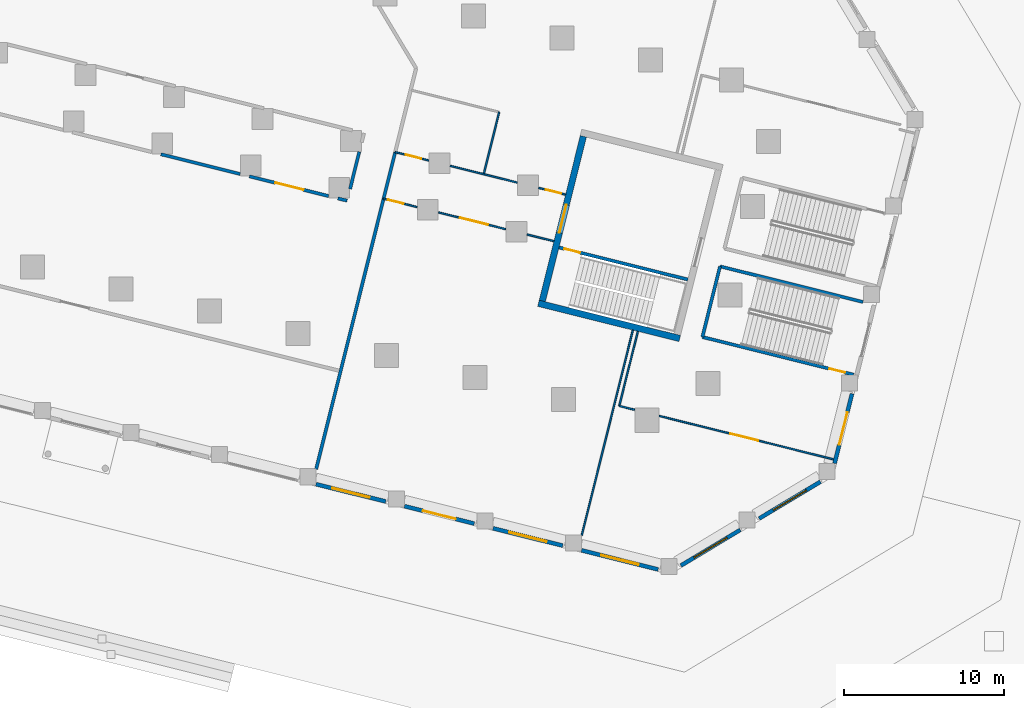
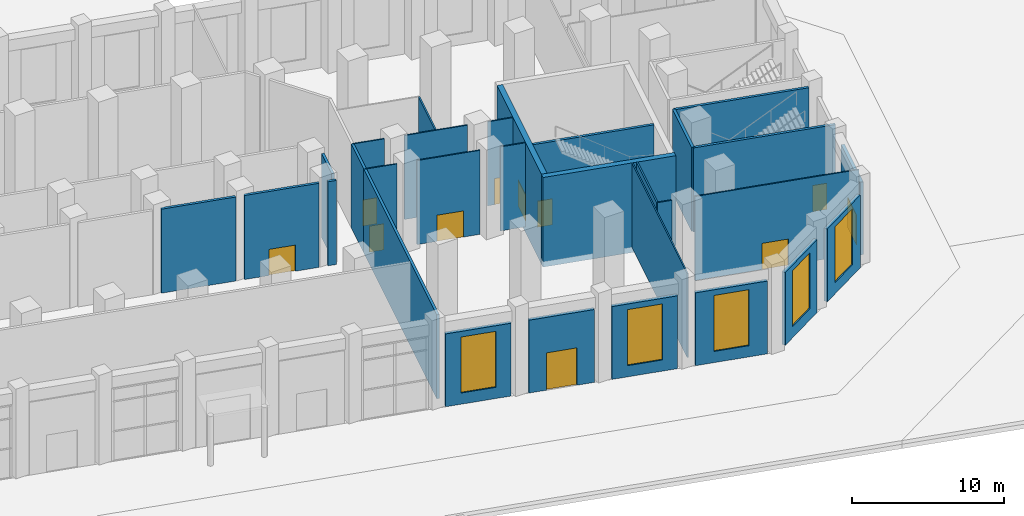
# One storey, part 14 of 27: 30 walls, 11 doors, 5 windows, 16 openings.
"""IFC4 building model written with IfcOpenShell, lengths in metres."""

from ifc_helpers import new_model, si_unit, direction, frame, frame_2d, origin, place, context, subcontext, project, spatial, rectangle, extrude, material, layer, layer_set, type_object, element, fill, save


model = new_model("IFC4")

# Units and contexts
model_context = context("Model", 3, precision=1e-05, world=origin(), true_north=direction((0.0, 1.0)))
body_context = subcontext(model_context, "Body", "Model", "MODEL_VIEW")
ifc_project = project(units=[si_unit("LENGTHUNIT", "METRE"), si_unit("AREAUNIT", "SQUARE_METRE"), si_unit("VOLUMEUNIT", "CUBIC_METRE"), si_unit("PLANEANGLEUNIT", "RADIAN"), si_unit("MASSUNIT", "GRAM", prefix="KILO")], contexts=[model_context])

# Site, building, storey
site_placement = place(None, origin())
site = spatial("IfcSite", under=ifc_project, at=site_placement, CompositionType="ELEMENT")
building_placement = place(site_placement, origin())
building = spatial("IfcBuilding", under=site, at=building_placement, Name="Meshkara Civic Tower", CompositionType="ELEMENT")
storey_placement = place(building_placement, origin())
storey = spatial("IfcBuildingStorey", under=building, at=storey_placement, Name="L00", CompositionType="ELEMENT", Elevation=0.0)

# Wall, opening, door
ifc_material_1 = material(Name="Corridor wall 100")
ifc_layer_1 = layer(ifc_material_1, 0.10009765625)
ifc_layer_set_1 = layer_set([ifc_layer_1], Name="Corridor wall 100")
wall_type_1 = type_object("IfcWallType", Name="Corridor wall 100", PredefinedType="PARTITIONING", material=ifc_layer_set_1)
wall_1_placement = place(storey_placement, frame((66.43505859375, -6.361083984375, 0.0), z_axis=(0.0, 0.0, 1.0), x_axis=(0.970335093604, -0.241763947107, 0.0)))
wall_1 = element("IfcWall", 1, at=wall_1_placement, inside=storey, type_object=wall_type_1, Name="L00-R064", PredefinedType="PARTITIONING", context=body_context, shape_type="SweptSolid", body=[
    extrude(rectangle(XDim=2.158935546875, YDim=0.10009765625, at=frame_2d((1.07958984375, 0.0))), origin(), (0.0, 0.0, 1.0), 6.75),
])
opening_1_placement = place(wall_1_placement, frame((0.280029296875, 0.0, 0.0)))
opening_1 = element("IfcOpeningElement", 2, at=opening_1_placement, cuts=wall_1, Name="Opening L00-P004", PredefinedType="OPENING", context=body_context, shape_type="SweptSolid", body=[
    extrude(rectangle(XDim=1.0, YDim=2.10009765625, at=frame_2d((0.5, 1.050048828125))), frame((0.0, 0.06005859375, 0.0), z_axis=(0.0, -1.0, 0.0), x_axis=(1.0, 0.0, 0.0)), (0.0, 0.0, 1.0), 0.1201171875),
])
ifc_material_2 = material(Name="Door 1000 x 2100")
door_type_1 = type_object("IfcDoorType", Name="Door 1000 x 2100", OperationType="SINGLE_SWING_LEFT", PredefinedType="DOOR", material=ifc_material_2)
door_1_placement = place(opening_1_placement, origin())
door_1 = element("IfcDoor", 3, at=door_1_placement, inside=storey, type_object=door_type_1, Name="L00-P004", OperationType="SINGLE_SWING_RIGHT", OverallHeight=2.10009765625, OverallWidth=1.0, PredefinedType="DOOR", context=body_context, shape_type="SweptSolid", body=[
    extrude(rectangle(XDim=1.0, YDim=2.10009765625, at=frame_2d((0.5, 1.050048828125))), frame((0.0, 0.02490234375, 0.0), z_axis=(0.0, -1.0, 0.0), x_axis=(1.0, 0.0, 0.0)), (0.0, 0.0, 1.0), 0.050048828125),
])
fill(opening_1, door_1)

wall_2_placement = place(storey_placement, frame((69.256103515625, -3.972900390625, 0.0), z_axis=(0.0, 0.0, 1.0), x_axis=(-0.970262034576, 0.242056985565, 0.0)))
wall_2 = element("IfcWall", 4, at=wall_2_placement, inside=storey, type_object=wall_type_1, Name="L00-R066", PredefinedType="PARTITIONING", context=body_context, shape_type="SweptSolid", body=[
    extrude(rectangle(XDim=2.160400390625, YDim=0.10009765625, at=frame_2d((1.080078125, 0.0))), origin(), (0.0, 0.0, 1.0), 6.75),
])
opening_2_placement = place(wall_2_placement, frame((0.47998046875, 0.0, 0.0)))
opening_2 = element("IfcOpeningElement", 5, at=opening_2_placement, cuts=wall_2, Name="Opening L00-P009", PredefinedType="OPENING", context=body_context, shape_type="SweptSolid", body=[
    extrude(rectangle(XDim=1.0, YDim=2.10009765625, at=frame_2d((0.5, 1.050048828125))), frame((0.0, 0.06005859375, 0.0), z_axis=(0.0, -1.0, 0.0), x_axis=(1.0, 0.0, 0.0)), (0.0, 0.0, 1.0), 0.1201171875),
])
door_2_placement = place(opening_2_placement, origin())
door_2 = element("IfcDoor", 6, at=door_2_placement, inside=storey, type_object=door_type_1, Name="L00-P009", OperationType="SINGLE_SWING_LEFT", OverallHeight=2.10009765625, OverallWidth=1.0, PredefinedType="DOOR", context=body_context, shape_type="SweptSolid", body=[
    extrude(rectangle(XDim=1.0, YDim=2.10009765625, at=frame_2d((0.5, 1.050048828125))), frame((0.0, 0.02490234375, 0.0), z_axis=(0.0, -1.0, 0.0), x_axis=(1.0, 0.0, 0.0)), (0.0, 0.0, 1.0), 0.050048828125),
])
fill(opening_2, door_2)

wall_3_placement = place(storey_placement, frame((69.8701171875, -7.217041015625, 0.0), z_axis=(0.0, 0.0, 1.0), x_axis=(0.970295255208, -0.241923784941, 0.0)))
wall_3 = element("IfcWall", 7, at=wall_3_placement, inside=storey, type_object=wall_type_1, Name="L00-R067", PredefinedType="PARTITIONING", context=body_context, shape_type="SweptSolid", body=[
    extrude(rectangle(XDim=4.3193359375, YDim=0.10009765625, at=frame_2d((2.15966796875, 0.0))), origin(), (0.0, 0.0, 1.0), 6.75),
])
opening_3_placement = place(wall_3_placement, frame((1.3798828125, 0.0, 0.0)))
opening_3 = element("IfcOpeningElement", 8, at=opening_3_placement, cuts=wall_3, Name="Opening L00-P005", PredefinedType="OPENING", context=body_context, shape_type="SweptSolid", body=[
    extrude(rectangle(XDim=1.800048828125, YDim=2.10009765625, at=frame_2d((0.89990234375, 1.050048828125))), frame((0.0, 0.06005859375, 0.0), z_axis=(0.0, -1.0, 0.0), x_axis=(1.0, 0.0, 0.0)), (0.0, 0.0, 1.0), 0.1201171875),
])
ifc_material_3 = material(Name="Door pair 1800 x 2100")
door_type_2 = type_object("IfcDoorType", Name="Door pair 1800 x 2100", OperationType="SINGLE_SWING_LEFT", PredefinedType="DOOR", material=ifc_material_3)
door_3_placement = place(opening_3_placement, origin())
door_3 = element("IfcDoor", 9, at=door_3_placement, inside=storey, type_object=door_type_2, Name="L00-P005", OperationType="DOUBLE_DOOR_SINGLE_SWING", OverallHeight=2.10009765625, OverallWidth=1.800048828125, PredefinedType="DOOR", context=body_context, shape_type="SweptSolid", body=[
    extrude(rectangle(XDim=1.800048828125, YDim=2.10009765625, at=frame_2d((0.89990234375, 1.050048828125))), frame((0.0, 0.02490234375, 0.0), z_axis=(0.0, -1.0, 0.0), x_axis=(1.0, 0.0, 0.0)), (0.0, 0.0, 1.0), 0.050048828125),
])
fill(opening_3, door_3)

# Walls
wall_4_placement = place(storey_placement, frame((70.595947265625, -4.306884765625, 0.0), z_axis=(0.0, 0.0, 1.0), x_axis=(0.970321828551, -0.241817181023, 0.0)))
element("IfcWall", 10, at=wall_4_placement, inside=storey, type_object=wall_type_1, Name="L00-R068", PredefinedType="PARTITIONING", context=body_context, shape_type="SweptSolid", body=[
    extrude(rectangle(XDim=4.318115234375, YDim=0.10009765625, at=frame_2d((2.1591796875, 0.0))), origin(), (0.0, 0.0, 1.0), 6.75),
])
wall_5_placement = place(storey_placement, frame((75.40087890625, -8.596923828125, 0.0), z_axis=(0.0, 0.0, 1.0), x_axis=(0.970358012919, -0.241671940372, 0.0)))
element("IfcWall", 11, at=wall_5_placement, inside=storey, type_object=wall_type_1, Name="L00-R069", PredefinedType="PARTITIONING", context=body_context, shape_type="SweptSolid", body=[
    extrude(rectangle(XDim=1.7294921875, YDim=0.10009765625, at=frame_2d((0.86474609375, 0.0))), origin(), (0.0, 0.0, 1.0), 6.75),
])

# Wall, opening, door
wall_6_placement = place(storey_placement, frame((77.804931640625, -6.10400390625, 0.0), z_axis=(0.0, 0.0, 1.0), x_axis=(-0.97025029366, 0.242104043031, 0.0)))
wall_6 = element("IfcWall", 12, at=wall_6_placement, inside=storey, type_object=wall_type_1, Name="L00-R070", PredefinedType="PARTITIONING", context=body_context, shape_type="SweptSolid", body=[
    extrude(rectangle(XDim=1.73046875, YDim=0.10009765625, at=frame_2d((0.865234375, 0.0))), origin(), (0.0, 0.0, 1.0), 6.75),
])
opening_4_placement = place(wall_6_placement, frame((0.280029296875, 0.0, 0.0)))
opening_4 = element("IfcOpeningElement", 13, at=opening_4_placement, cuts=wall_6, Name="Opening L00-P010", PredefinedType="OPENING", context=body_context, shape_type="SweptSolid", body=[
    extrude(rectangle(XDim=1.0, YDim=2.10009765625, at=frame_2d((0.5, 1.050048828125))), frame((0.0, 0.06005859375, 0.0), z_axis=(0.0, -1.0, 0.0), x_axis=(1.0, 0.0, 0.0)), (0.0, 0.0, 1.0), 0.1201171875),
])
door_4_placement = place(opening_4_placement, origin())
door_4 = element("IfcDoor", 14, at=door_4_placement, inside=storey, type_object=door_type_1, Name="L00-P010", OperationType="SINGLE_SWING_RIGHT", OverallHeight=2.10009765625, OverallWidth=1.0, PredefinedType="DOOR", context=body_context, shape_type="SweptSolid", body=[
    extrude(rectangle(XDim=1.0, YDim=2.10009765625, at=frame_2d((0.5, 1.050048828125))), frame((0.0, 0.02490234375, 0.0), z_axis=(0.0, -1.0, 0.0), x_axis=(1.0, 0.0, 0.0)), (0.0, 0.0, 1.0), 0.050048828125),
])
fill(opening_4, door_4)

# Walls
wall_7_placement = place(storey_placement, frame((81.159912109375, -19.30810546875, 0.0), z_axis=(0.0, 0.0, 1.0), x_axis=(0.970258747404, -0.242070161495, 0.0)))
element("IfcWall", 15, at=wall_7_placement, inside=storey, type_object=wall_type_1, Name="L00-R071", PredefinedType="PARTITIONING", context=body_context, shape_type="SweptSolid", body=[
    extrude(rectangle(XDim=0.9873046875, YDim=0.10009765625, at=frame_2d((0.49365234375, 0.0))), origin(), (0.0, 0.0, 1.0), 6.75),
])
wall_8_placement = place(storey_placement, frame((82.321044921875, -14.65087890625, 0.0), z_axis=(0.0, 0.0, 1.0), x_axis=(-0.241913228726, -0.970297887129, 0.0)))
element("IfcWall", 16, at=wall_8_placement, inside=storey, type_object=wall_type_1, Name="L00-R072", PredefinedType="PARTITIONING", context=body_context, shape_type="SweptSolid", body=[
    extrude(rectangle(XDim=4.7998046875, YDim=0.10009765625, at=frame_2d((2.39990234375, 0.0))), origin(), (0.0, 0.0, 1.0), 6.75),
])

# Wall, opening, door
wall_9_placement = place(storey_placement, frame((83.657958984375, -19.930908203125, 0.0), z_axis=(0.0, 0.0, 1.0), x_axis=(0.970304770319, -0.241885619034, 0.0)))
wall_9 = element("IfcWall", 17, at=wall_9_placement, inside=storey, type_object=wall_type_1, Name="L00-R073", PredefinedType="PARTITIONING", context=body_context, shape_type="SweptSolid", body=[
    extrude(rectangle(XDim=11.224609375, YDim=0.10009765625, at=frame_2d((5.6123046875, 0.0))), origin(), (0.0, 0.0, 1.0), 6.75),
])
opening_5_placement = place(wall_9_placement, frame((4.580078125, 0.0, 0.0)))
opening_5 = element("IfcOpeningElement", 18, at=opening_5_placement, cuts=wall_9, Name="Opening L00-P001", PredefinedType="OPENING", context=body_context, shape_type="SweptSolid", body=[
    extrude(rectangle(XDim=1.800048828125, YDim=2.10009765625, at=frame_2d((0.89990234375, 1.050048828125))), frame((0.0, 0.06005859375, 0.0), z_axis=(0.0, -1.0, 0.0), x_axis=(1.0, 0.0, 0.0)), (0.0, 0.0, 1.0), 0.1201171875),
])
door_5_placement = place(opening_5_placement, origin())
door_5 = element("IfcDoor", 19, at=door_5_placement, inside=storey, type_object=door_type_2, Name="L00-P001", OperationType="DOUBLE_DOOR_SINGLE_SWING", OverallHeight=2.10009765625, OverallWidth=1.800048828125, PredefinedType="DOOR", context=body_context, shape_type="SweptSolid", body=[
    extrude(rectangle(XDim=1.800048828125, YDim=2.10009765625, at=frame_2d((0.89990234375, 1.050048828125))), frame((0.0, 0.02490234375, 0.0), z_axis=(0.0, -1.0, 0.0), x_axis=(1.0, 0.0, 0.0)), (0.0, 0.0, 1.0), 0.050048828125),
])
fill(opening_5, door_5)

# Wall
ifc_material_4 = material(Name="Concrete C80", Category="concrete")
ifc_layer_2 = layer(ifc_material_4, 0.39990234375)
ifc_layer_set_2 = layer_set([ifc_layer_2], Name="End core ring wall 400 C80")
wall_type_2 = type_object("IfcWallType", Name="End core ring wall 400 C80", PredefinedType="SHEAR", material=ifc_layer_set_2)
wall_10_placement = place(storey_placement, frame((76.111083984375, -12.89599609375, -0.449951171875), z_axis=(0.0, 0.0, 1.0), x_axis=(0.970311127573, -0.241860115992, 0.0)))
element("IfcWall", 20, at=wall_10_placement, inside=storey, type_object=wall_type_2, Name="L00-C030", PredefinedType="SHEAR", context=body_context, shape_type="SweptSolid", body=[
    extrude(rectangle(XDim=9.10009765625, YDim=0.39990234375, at=frame_2d((4.550048828125, 0.0))), origin(), (0.0, 0.0, 1.0), 7.199951171875),
])

# Wall, opening, door
wall_11_placement = place(storey_placement, frame((76.35302734375, -12.75, -0.449951171875), z_axis=(0.0, 0.0, 1.0), x_axis=(0.241977390218, 0.970281888228, 0.0)))
wall_11 = element("IfcWall", 21, at=wall_11_placement, inside=storey, type_object=wall_type_2, Name="L00-C032", PredefinedType="SHEAR", context=body_context, shape_type="SweptSolid", body=[
    extrude(rectangle(XDim=10.599853515625, YDim=0.39990234375, at=frame_2d((5.2998046875, 0.0))), origin(), (0.0, 0.0, 1.0), 7.199951171875),
])
opening_6_placement = place(wall_11_placement, frame((4.39990234375, 0.0, 0.449951171875)))
opening_6 = element("IfcOpeningElement", 22, at=opening_6_placement, cuts=wall_11, Name="Opening L00-K202", PredefinedType="OPENING", context=body_context, shape_type="SweptSolid", body=[
    extrude(rectangle(XDim=1.800048828125, YDim=2.10009765625, at=frame_2d((0.89990234375, 1.050048828125))), frame((0.0, 0.2099609375, 0.0), z_axis=(0.0, -1.0, 0.0), x_axis=(1.0, 0.0, 0.0)), (0.0, 0.0, 1.0), 0.419921875),
])
ifc_material_5 = material(Name="Fire-rated door leaf in steel frame", Category="steel")
door_type_3 = type_object("IfcDoorType", Name="Core double door 1800 EI 60", OperationType="DOUBLE_DOOR_SINGLE_SWING", PredefinedType="DOOR", material=ifc_material_5)
door_6_placement = place(opening_6_placement, origin())
door_6 = element("IfcDoor", 23, at=door_6_placement, inside=storey, type_object=door_type_3, Name="L00-K202", OperationType="DOUBLE_DOOR_SINGLE_SWING", OverallHeight=2.10009765625, OverallWidth=1.800048828125, PredefinedType="DOOR", context=body_context, shape_type="SweptSolid", body=[
    extrude(rectangle(XDim=1.800048828125, YDim=2.10009765625, at=frame_2d((0.89990234375, 1.050048828125))), frame((0.0, 0.02490234375, 0.0), z_axis=(0.0, -1.0, 0.0), x_axis=(1.0, 0.0, 0.0)), (0.0, 0.0, 1.0), 0.050048828125),
])
fill(opening_6, door_6)

# Wall
ifc_material_6 = material(Name="Fire-rated wall 200")
ifc_layer_3 = layer(ifc_material_6, 0.199951171875)
ifc_layer_set_3 = layer_set([ifc_layer_3], Name="Fire-rated wall 200")
wall_type_3 = type_object("IfcWallType", Name="Fire-rated wall 200", PredefinedType="PARTITIONING", material=ifc_layer_set_3)
wall_12_placement = place(storey_placement, frame((52.52490234375, -3.583984375, 0.0), z_axis=(0.0, 0.0, 1.0), x_axis=(0.970286068757, -0.241960626499, 0.0)))
element("IfcWall", 24, at=wall_12_placement, inside=storey, type_object=wall_type_3, Name="L00-R056", PredefinedType="PARTITIONING", context=body_context, shape_type="SweptSolid", body=[
    extrude(rectangle(XDim=5.095458984375, YDim=0.199951171875, at=frame_2d((2.5478515625, 0.0))), origin(), (0.0, 0.0, 1.0), 6.75),
])

# Wall, opening, door
wall_13_placement = place(storey_placement, frame((58.052001953125, -4.9619140625, 0.0), z_axis=(0.0, 0.0, 1.0), x_axis=(0.970308464025, -0.241870801549, 0.0)))
wall_13 = element("IfcWall", 25, at=wall_13_placement, inside=storey, type_object=wall_type_3, Name="L00-R058", PredefinedType="PARTITIONING", context=body_context, shape_type="SweptSolid", body=[
    extrude(rectangle(XDim=5.098388671875, YDim=0.199951171875, at=frame_2d((2.54931640625, 0.0))), origin(), (0.0, 0.0, 1.0), 6.75),
])
opening_7_placement = place(wall_13_placement, frame((1.679931640625, 0.0, 0.0)))
opening_7 = element("IfcOpeningElement", 26, at=opening_7_placement, cuts=wall_13, Name="Opening L00-P008", PredefinedType="OPENING", context=body_context, shape_type="SweptSolid", body=[
    extrude(rectangle(XDim=1.800048828125, YDim=2.10009765625, at=frame_2d((0.89990234375, 1.050048828125))), frame((0.0, 0.10986328125, 0.0), z_axis=(0.0, -1.0, 0.0), x_axis=(1.0, 0.0, 0.0)), (0.0, 0.0, 1.0), 0.219970703125),
])
door_7_placement = place(opening_7_placement, origin())
door_7 = element("IfcDoor", 27, at=door_7_placement, inside=storey, type_object=door_type_2, Name="L00-P008", OperationType="DOUBLE_DOOR_SINGLE_SWING", OverallHeight=2.10009765625, OverallWidth=1.800048828125, PredefinedType="DOOR", context=body_context, shape_type="SweptSolid", body=[
    extrude(rectangle(XDim=1.800048828125, YDim=2.10009765625, at=frame_2d((0.89990234375, 1.050048828125))), frame((0.0, 0.02490234375, 0.0), z_axis=(0.0, -1.0, 0.0), x_axis=(1.0, 0.0, 0.0)), (0.0, 0.0, 1.0), 0.050048828125),
])
fill(opening_7, door_7)

# Walls
wall_14_placement = place(storey_placement, frame((63.5830078125, -6.341064453125, 0.0), z_axis=(0.0, 0.0, 1.0), x_axis=(0.970408994733, -0.241467146712, 0.0)))
element("IfcWall", 28, at=wall_14_placement, inside=storey, type_object=wall_type_3, Name="L00-R060", PredefinedType="PARTITIONING", context=body_context, shape_type="SweptSolid", body=[
    extrude(rectangle(XDim=0.591552734375, YDim=0.199951171875, at=frame_2d((0.2958984375, 0.0))), origin(), (0.0, 0.0, 1.0), 6.75),
])
wall_15_placement = place(storey_placement, frame((64.339111328125, -5.75390625, 0.0), z_axis=(0.0, 0.0, 1.0), x_axis=(0.241791708461, 0.970328176299, 0.0)))
element("IfcWall", 29, at=wall_15_placement, inside=storey, type_object=wall_type_3, Name="L00-R061", PredefinedType="PARTITIONING", context=body_context, shape_type="SweptSolid", body=[
    extrude(rectangle(XDim=2.39404296875, YDim=0.199951171875, at=frame_2d((1.197021484375, 0.0))), origin(), (0.0, 0.0, 1.0), 6.75),
])
wall_16_placement = place(storey_placement, frame((67.159912109375, -3.449951171875, 0.0), z_axis=(0.0, 0.0, 1.0), x_axis=(-0.241617636223, -0.970371535993, 0.0)))
element("IfcWall", 30, at=wall_16_placement, inside=storey, type_object=wall_type_3, Name="L00-R065", PredefinedType="PARTITIONING", context=body_context, shape_type="SweptSolid", body=[
    extrude(rectangle(XDim=3.004150390625, YDim=0.199951171875, at=frame_2d((1.501953125, 0.0))), origin(), (0.0, 0.0, 1.0), 6.75),
])
wall_17_placement = place(storey_placement, frame((62.221923828125, -23.258056640625, 0.0), z_axis=(0.0, 0.0, 1.0), x_axis=(0.241935212385, 0.970292405931, 0.0)))
element("IfcWall", 31, at=wall_17_placement, inside=storey, type_object=wall_type_3, Name="L00-R113", PredefinedType="PARTITIONING", context=body_context, shape_type="SweptSolid", body=[
    extrude(rectangle(XDim=17.414306640625, YDim=0.199951171875, at=frame_2d((8.70703125, 0.0))), origin(), (0.0, 0.0, 1.0), 6.75),
])

# Wall, opening, window
ifc_material_7 = material(Name="Stone cladding on insulated backing wall", Category="masonry")
ifc_layer_4 = layer(ifc_material_7, 0.25)
ifc_layer_set_4 = layer_set([ifc_layer_4], Name="PODIUM STONE WALL 250")
wall_type_4 = type_object("IfcWallType", Name="PODIUM STONE WALL 250", PredefinedType="SOLIDWALL", material=ifc_layer_set_4)
wall_18_placement = place(storey_placement, frame((62.2109375, -24.194091796875, 0.0), z_axis=(0.0, 0.0, 1.0), x_axis=(0.970289506684, -0.241946839653, 0.0)))
wall_18 = element("IfcWall", 32, at=wall_18_placement, inside=storey, type_object=wall_type_4, Name="Podium external wall", PredefinedType="SOLIDWALL", context=body_context, shape_type="SweptSolid", body=[
    extrude(rectangle(XDim=4.48828125, YDim=0.25, at=frame_2d((2.244140625, 0.0))), origin(), (0.0, 0.0, 1.0), 5.85009765625),
])
opening_8_placement = place(wall_18_placement, frame((1.0439453125, 0.0, 0.89990234375)))
opening_8 = element("IfcOpeningElement", 33, at=opening_8_placement, cuts=wall_18, Name="Opening PW1", PredefinedType="OPENING", context=body_context, shape_type="SweptSolid", body=[
    extrude(rectangle(XDim=2.39990234375, YDim=4.5, at=frame_2d((1.199951171875, 2.25))), frame((0.0, 0.135009765625, 0.0), z_axis=(0.0, -1.0, 0.0), x_axis=(1.0, 0.0, 0.0)), (0.0, 0.0, 1.0), 0.27001953125),
])
ifc_material_8 = material(Name="Tinted double glazing", Category="glass")
window_type = type_object("IfcWindowType", Name="PODIUM WINDOW 2400x4500", PartitioningType="DOUBLE_PANEL_VERTICAL", PredefinedType="WINDOW", material=ifc_material_8)
window_1_placement = place(opening_8_placement, origin())
window_1 = element("IfcWindow", 34, at=window_1_placement, inside=storey, type_object=window_type, Name="Podium window", OverallHeight=4.5, OverallWidth=2.39990234375, PartitioningType="DOUBLE_PANEL_VERTICAL", PredefinedType="WINDOW", context=body_context, shape_type="SweptSolid", body=[
    extrude(rectangle(XDim=2.39990234375, YDim=4.5, at=frame_2d((1.199951171875, 2.25))), frame((0.0, 0.030029296875, 0.0), z_axis=(0.0, -1.0, 0.0), x_axis=(1.0, 0.0, 0.0)), (0.0, 0.0, 1.0), 0.06005859375),
])
fill(opening_8, window_1)

# Wall, opening, door
wall_19_placement = place(storey_placement, frame((67.741943359375, -25.572998046875, 0.0), z_axis=(0.0, 0.0, 1.0), x_axis=(0.970289506684, -0.241946839653, 0.0)))
wall_19 = element("IfcWall", 35, at=wall_19_placement, inside=storey, type_object=wall_type_4, Name="Podium external wall", PredefinedType="SOLIDWALL", context=body_context, shape_type="SweptSolid", body=[
    extrude(rectangle(XDim=4.48828125, YDim=0.25, at=frame_2d((2.244140625, 0.0))), origin(), (0.0, 0.0, 1.0), 5.85009765625),
])
opening_9_placement = place(wall_19_placement, frame((1.194091796875, 0.0, 0.0)))
opening_9 = element("IfcOpeningElement", 36, at=opening_9_placement, cuts=wall_19, Name="Opening L00-G013", PredefinedType="OPENING", context=body_context, shape_type="SweptSolid", body=[
    extrude(rectangle(XDim=2.10009765625, YDim=3.0, at=frame_2d((1.050048828125, 1.5))), frame((0.0, 0.135009765625, 0.0), z_axis=(0.0, -1.0, 0.0), x_axis=(1.0, 0.0, 0.0)), (0.0, 0.0, 1.0), 0.27001953125),
])
ifc_material_9 = material(Name="Bronze anodised aluminium", Category="aluminium")
door_type_4 = type_object("IfcDoorType", Name="HALL EXIT DOOR 2100x3000", OperationType="DOUBLE_DOOR_DOUBLE_SWING", PredefinedType="DOOR", material=ifc_material_9)
door_8_placement = place(opening_9_placement, origin())
door_8 = element("IfcDoor", 37, at=door_8_placement, inside=storey, type_object=door_type_4, Name="L00-G013", OperationType="DOUBLE_DOOR_DOUBLE_SWING", OverallHeight=3.0, OverallWidth=2.10009765625, PredefinedType="DOOR", context=body_context, shape_type="SweptSolid", body=[
    extrude(rectangle(XDim=2.10009765625, YDim=3.0, at=frame_2d((1.050048828125, 1.5))), frame((0.0, 0.02490234375, 0.0), z_axis=(0.0, -1.0, 0.0), x_axis=(1.0, 0.0, 0.0)), (0.0, 0.0, 1.0), 0.050048828125),
])
fill(opening_9, door_8)

# Wall, opening, window
wall_20_placement = place(storey_placement, frame((73.27294921875, -26.951904296875, 0.0), z_axis=(0.0, 0.0, 1.0), x_axis=(0.970263990019, -0.242049147224, 0.0)))
wall_20 = element("IfcWall", 38, at=wall_20_placement, inside=storey, type_object=wall_type_4, Name="Podium external wall", PredefinedType="SOLIDWALL", context=body_context, shape_type="SweptSolid", body=[
    extrude(rectangle(XDim=4.487548828125, YDim=0.25, at=frame_2d((2.24365234375, 0.0))), origin(), (0.0, 0.0, 1.0), 5.85009765625),
])
opening_10_placement = place(wall_20_placement, frame((1.0439453125, 0.0, 0.89990234375)))
opening_10 = element("IfcOpeningElement", 39, at=opening_10_placement, cuts=wall_20, Name="Opening PW1", PredefinedType="OPENING", context=body_context, shape_type="SweptSolid", body=[
    extrude(rectangle(XDim=2.39990234375, YDim=4.5, at=frame_2d((1.199951171875, 2.25))), frame((0.0, 0.135009765625, 0.0), z_axis=(0.0, -1.0, 0.0), x_axis=(1.0, 0.0, 0.0)), (0.0, 0.0, 1.0), 0.27001953125),
])
window_2_placement = place(opening_10_placement, origin())
window_2 = element("IfcWindow", 40, at=window_2_placement, inside=storey, type_object=window_type, Name="Podium window", OverallHeight=4.5, OverallWidth=2.39990234375, PartitioningType="DOUBLE_PANEL_VERTICAL", PredefinedType="WINDOW", context=body_context, shape_type="SweptSolid", body=[
    extrude(rectangle(XDim=2.39990234375, YDim=4.5, at=frame_2d((1.199951171875, 2.25))), frame((0.0, 0.030029296875, 0.0), z_axis=(0.0, -1.0, 0.0), x_axis=(1.0, 0.0, 0.0)), (0.0, 0.0, 1.0), 0.06005859375),
])
fill(opening_10, window_2)

wall_21_placement = place(storey_placement, frame((78.803955078125, -28.3310546875, 0.0), z_axis=(0.0, 0.0, 1.0), x_axis=(0.970305357377, -0.241883264089, 0.0)))
wall_21 = element("IfcWall", 41, at=wall_21_placement, inside=storey, type_object=wall_type_4, Name="Podium external wall", PredefinedType="SOLIDWALL", context=body_context, shape_type="SweptSolid", body=[
    extrude(rectangle(XDim=4.931640625, YDim=0.25, at=frame_2d((2.4658203125, 0.0))), origin(), (0.0, 0.0, 1.0), 5.85009765625),
])
opening_11_placement = place(wall_21_placement, frame((1.26611328125, 0.0, 0.89990234375)))
opening_11 = element("IfcOpeningElement", 42, at=opening_11_placement, cuts=wall_21, Name="Opening PW1", PredefinedType="OPENING", context=body_context, shape_type="SweptSolid", body=[
    extrude(rectangle(XDim=2.39990234375, YDim=4.5, at=frame_2d((1.199951171875, 2.25))), frame((0.0, 0.135009765625, 0.0), z_axis=(0.0, -1.0, 0.0), x_axis=(1.0, 0.0, 0.0)), (0.0, 0.0, 1.0), 0.27001953125),
])
window_3_placement = place(opening_11_placement, origin())
window_3 = element("IfcWindow", 43, at=window_3_placement, inside=storey, type_object=window_type, Name="Podium window", OverallHeight=4.5, OverallWidth=2.39990234375, PartitioningType="DOUBLE_PANEL_VERTICAL", PredefinedType="WINDOW", context=body_context, shape_type="SweptSolid", body=[
    extrude(rectangle(XDim=2.39990234375, YDim=4.5, at=frame_2d((1.199951171875, 2.25))), frame((0.0, 0.030029296875, 0.0), z_axis=(0.0, -1.0, 0.0), x_axis=(1.0, 0.0, 0.0)), (0.0, 0.0, 1.0), 0.06005859375),
])
fill(opening_11, window_3)

wall_22_placement = place(storey_placement, frame((85.011962890625, -29.280029296875, 0.0), z_axis=(0.0, 0.0, 1.0), x_axis=(0.857124320069, 0.515109599936, 0.0)))
wall_22 = element("IfcWall", 44, at=wall_22_placement, inside=storey, type_object=wall_type_4, Name="Podium external wall", PredefinedType="SOLIDWALL", context=body_context, shape_type="SweptSolid", body=[
    extrude(rectangle(XDim=4.3271484375, YDim=0.25, at=frame_2d((2.16357421875, 0.0))), origin(), (0.0, 0.0, 1.0), 5.85009765625),
])
opening_12_placement = place(wall_22_placement, frame((0.964111328125, 0.0, 0.89990234375)))
opening_12 = element("IfcOpeningElement", 45, at=opening_12_placement, cuts=wall_22, Name="Opening PW1", PredefinedType="OPENING", context=body_context, shape_type="SweptSolid", body=[
    extrude(rectangle(XDim=2.39990234375, YDim=4.5, at=frame_2d((1.199951171875, 2.25))), frame((0.0, 0.135009765625, 0.0), z_axis=(0.0, -1.0, 0.0), x_axis=(1.0, 0.0, 0.0)), (0.0, 0.0, 1.0), 0.27001953125),
])
window_4_placement = place(opening_12_placement, origin())
window_4 = element("IfcWindow", 46, at=window_4_placement, inside=storey, type_object=window_type, Name="Podium window", OverallHeight=4.5, OverallWidth=2.39990234375, PartitioningType="DOUBLE_PANEL_VERTICAL", PredefinedType="WINDOW", context=body_context, shape_type="SweptSolid", body=[
    extrude(rectangle(XDim=2.39990234375, YDim=4.5, at=frame_2d((1.199951171875, 2.25))), frame((0.0, 0.030029296875, 0.0), z_axis=(0.0, -1.0, 0.0), x_axis=(1.0, 0.0, 0.0)), (0.0, 0.0, 1.0), 0.06005859375),
])
fill(opening_12, window_4)

wall_23_placement = place(storey_placement, frame((89.89794921875, -26.344970703125, 0.0), z_axis=(0.0, 0.0, 1.0), x_axis=(0.857102702083, 0.515145569797, 0.0)))
wall_23 = element("IfcWall", 47, at=wall_23_placement, inside=storey, type_object=wall_type_4, Name="Podium external wall", PredefinedType="SOLIDWALL", context=body_context, shape_type="SweptSolid", body=[
    extrude(rectangle(XDim=4.474365234375, YDim=0.25, at=frame_2d((2.2373046875, 0.0))), origin(), (0.0, 0.0, 1.0), 5.85009765625),
])
opening_13_placement = place(wall_23_placement, frame((1.037109375, 0.0, 0.89990234375)))
opening_13 = element("IfcOpeningElement", 48, at=opening_13_placement, cuts=wall_23, Name="Opening PW1", PredefinedType="OPENING", context=body_context, shape_type="SweptSolid", body=[
    extrude(rectangle(XDim=2.39990234375, YDim=4.5, at=frame_2d((1.199951171875, 2.25))), frame((0.0, 0.135009765625, 0.0), z_axis=(0.0, -1.0, 0.0), x_axis=(1.0, 0.0, 0.0)), (0.0, 0.0, 1.0), 0.27001953125),
])
window_5_placement = place(opening_13_placement, origin())
window_5 = element("IfcWindow", 49, at=window_5_placement, inside=storey, type_object=window_type, Name="Podium window", OverallHeight=4.5, OverallWidth=2.39990234375, PartitioningType="DOUBLE_PANEL_VERTICAL", PredefinedType="WINDOW", context=body_context, shape_type="SweptSolid", body=[
    extrude(rectangle(XDim=2.39990234375, YDim=4.5, at=frame_2d((1.199951171875, 2.25))), frame((0.0, 0.030029296875, 0.0), z_axis=(0.0, -1.0, 0.0), x_axis=(1.0, 0.0, 0.0)), (0.0, 0.0, 1.0), 0.06005859375),
])
fill(opening_13, window_5)

# Wall, opening, door
wall_24_placement = place(storey_placement, frame((94.614990234375, -22.89892578125, 0.0), z_axis=(0.0, 0.0, 1.0), x_axis=(0.241946839653, 0.970289506684, 0.0)))
wall_24 = element("IfcWall", 50, at=wall_24_placement, inside=storey, type_object=wall_type_4, Name="Podium external wall", PredefinedType="SOLIDWALL", context=body_context, shape_type="SweptSolid", body=[
    extrude(rectangle(XDim=4.48828125, YDim=0.25, at=frame_2d((2.244140625, 0.0))), origin(), (0.0, 0.0, 1.0), 5.85009765625),
])
opening_14_placement = place(wall_24_placement, frame((1.194091796875, 0.0, 0.0)))
opening_14 = element("IfcOpeningElement", 51, at=opening_14_placement, cuts=wall_24, Name="Opening L00-G014", PredefinedType="OPENING", context=body_context, shape_type="SweptSolid", body=[
    extrude(rectangle(XDim=2.10009765625, YDim=2.39990234375, at=frame_2d((1.050048828125, 1.199951171875))), frame((0.0, 0.135009765625, 0.0), z_axis=(0.0, -1.0, 0.0), x_axis=(1.0, 0.0, 0.0)), (0.0, 0.0, 1.0), 0.27001953125),
])
ifc_material_10 = material(Name="Steel S355", Category="steel")
door_type_5 = type_object("IfcDoorType", Name="EXIT DOOR PAIR 2100x2400", OperationType="DOUBLE_DOOR_DOUBLE_SWING", PredefinedType="DOOR", material=ifc_material_10)
door_9_placement = place(opening_14_placement, origin())
door_9 = element("IfcDoor", 52, at=door_9_placement, inside=storey, type_object=door_type_5, Name="L00-G014", OperationType="DOUBLE_DOOR_DOUBLE_SWING", OverallHeight=2.39990234375, OverallWidth=2.10009765625, PredefinedType="DOOR", context=body_context, shape_type="SweptSolid", body=[
    extrude(rectangle(XDim=2.10009765625, YDim=2.39990234375, at=frame_2d((1.050048828125, 1.199951171875))), frame((0.0, 0.02490234375, 0.0), z_axis=(0.0, -1.0, 0.0), x_axis=(1.0, 0.0, 0.0)), (0.0, 0.0, 1.0), 0.050048828125),
])
fill(opening_14, door_9)

# Walls
ifc_material_11 = material(Name="Partition 100")
ifc_layer_5 = layer(ifc_material_11, 0.10009765625)
ifc_layer_set_5 = layer_set([ifc_layer_5], Name="Partition 100")
wall_type_5 = type_object("IfcWallType", Name="Partition 100", PredefinedType="PARTITIONING", material=ifc_layer_set_5)
wall_25_placement = place(storey_placement, frame((72.702880859375, -4.780029296875, 0.0), z_axis=(0.0, 0.0, 1.0), x_axis=(0.242070161495, 0.970258747404, 0.0)))
element("IfcWall", 53, at=wall_25_placement, inside=storey, type_object=wall_type_5, Name="L00-R118", PredefinedType="PARTITIONING", context=body_context, shape_type="SweptSolid", body=[
    extrude(rectangle(XDim=3.949462890625, YDim=0.10009765625, at=frame_2d((1.974609375, 0.0))), origin(), (0.0, 0.0, 1.0), 6.75),
])
wall_26_placement = place(storey_placement, frame((78.81396484375, -27.39111328125, 0.0), z_axis=(0.0, 0.0, 1.0), x_axis=(0.242000743869, 0.970276063792, 0.0)))
element("IfcWall", 54, at=wall_26_placement, inside=storey, type_object=wall_type_5, Name="L00-R120", PredefinedType="PARTITIONING", context=body_context, shape_type="SweptSolid", body=[
    extrude(rectangle(XDim=13.210693359375, YDim=0.10009765625, at=frame_2d((6.60546875, 0.0))), origin(), (0.0, 0.0, 1.0), 6.75),
])

# Wall, opening, door
ifc_material_12 = material(Name="Concrete C40/50", Category="concrete")
ifc_layer_6 = layer(ifc_material_12, 0.199951171875)
ifc_layer_set_6 = layer_set([ifc_layer_6], Name="Stair enclosure wall 200 C40/50")
wall_type_6 = type_object("IfcWallType", Name="Stair enclosure wall 200 C40/50", PredefinedType="SOLIDWALL", material=ifc_layer_set_6)
wall_27_placement = place(storey_placement, frame((77.39404296875, -9.403076171875, 0.0), z_axis=(0.0, 0.0, 1.0), x_axis=(0.970303192681, -0.241891947516, 0.0)))
wall_27 = element("IfcWall", 55, at=wall_27_placement, inside=storey, type_object=wall_type_6, Name="L00-C034", PredefinedType="SOLIDWALL", context=body_context, shape_type="SweptSolid", body=[
    extrude(rectangle(XDim=8.300537109375, YDim=0.199951171875, at=frame_2d((4.150390625, 0.0))), origin(), (0.0, 0.0, 1.0), 6.75),
])
opening_15_placement = place(wall_27_placement, frame((0.35009765625, 0.0, 0.0)))
opening_15 = element("IfcOpeningElement", 56, at=opening_15_placement, cuts=wall_27, Name="Opening L00-K201", PredefinedType="OPENING", context=body_context, shape_type="SweptSolid", body=[
    extrude(rectangle(XDim=1.0, YDim=2.10009765625, at=frame_2d((0.5, 1.050048828125))), frame((0.0, 0.10986328125, 0.0), z_axis=(0.0, -1.0, 0.0), x_axis=(1.0, 0.0, 0.0)), (0.0, 0.0, 1.0), 0.219970703125),
])
ifc_material_13 = material(Name="Fire-rated door leaf in steel frame", Category="steel")
door_type_6 = type_object("IfcDoorType", Name="Stair door 1000 EI 120", OperationType="SINGLE_SWING_LEFT", PredefinedType="DOOR", material=ifc_material_13)
door_10_placement = place(opening_15_placement, origin())
door_10 = element("IfcDoor", 57, at=door_10_placement, inside=storey, type_object=door_type_6, Name="L00-K201", OperationType="SINGLE_SWING_LEFT", OverallHeight=2.10009765625, OverallWidth=1.0, PredefinedType="DOOR", context=body_context, shape_type="SweptSolid", body=[
    extrude(rectangle(XDim=1.0, YDim=2.10009765625, at=frame_2d((0.5, 1.050048828125))), frame((0.0, 0.02490234375, 0.0), z_axis=(0.0, -1.0, 0.0), x_axis=(1.0, 0.0, 0.0)), (0.0, 0.0, 1.0), 0.050048828125),
])
fill(opening_15, door_10)

# Walls
wall_28_placement = place(storey_placement, frame((86.35595703125, -15.001953125, 0.0), z_axis=(0.0, 0.0, 1.0), x_axis=(0.241778041767, 0.970331581739, 0.0)))
element("IfcWall", 58, at=wall_28_placement, inside=storey, type_object=wall_type_6, Name="L00-R075", PredefinedType="SOLIDWALL", context=body_context, shape_type="SweptSolid", body=[
    extrude(rectangle(XDim=4.550048828125, YDim=0.199951171875, at=frame_2d((2.27490234375, 0.0))), origin(), (0.0, 0.0, 1.0), 6.75),
])
wall_29_placement = place(storey_placement, frame((87.4560546875, -10.5869140625, 0.0), z_axis=(0.0, 0.0, 1.0), x_axis=(0.97028891911, -0.241949196016, 0.0)))
element("IfcWall", 59, at=wall_29_placement, inside=storey, type_object=wall_type_6, Name="L00-R077", PredefinedType="SOLIDWALL", context=body_context, shape_type="SweptSolid", body=[
    extrude(rectangle(XDim=9.208740234375, YDim=0.199951171875, at=frame_2d((4.6044921875, 0.0))), origin(), (0.0, 0.0, 1.0), 6.75),
])

# Wall, opening, door
wall_30_placement = place(storey_placement, frame((86.35595703125, -15.001953125, 0.0), z_axis=(0.0, 0.0, 1.0), x_axis=(0.970288396191, -0.241951293066, 0.0)))
wall_30 = element("IfcWall", 60, at=wall_30_placement, inside=storey, type_object=wall_type_6, Name="L00-R080", PredefinedType="SOLIDWALL", context=body_context, shape_type="SweptSolid", body=[
    extrude(rectangle(XDim=9.7333984375, YDim=0.199951171875, at=frame_2d((4.86669921875, 0.0))), origin(), (0.0, 0.0, 1.0), 6.75),
])
opening_16_placement = place(wall_30_placement, frame((8.18310546875, 0.0, 0.0)))
opening_16 = element("IfcOpeningElement", 61, at=opening_16_placement, cuts=wall_30, Name="Opening L00-P003", PredefinedType="OPENING", context=body_context, shape_type="SweptSolid", body=[
    extrude(rectangle(XDim=1.0, YDim=2.10009765625, at=frame_2d((0.5, 1.050048828125))), frame((0.0, 0.10986328125, 0.0), z_axis=(0.0, -1.0, 0.0), x_axis=(1.0, 0.0, 0.0)), (0.0, 0.0, 1.0), 0.219970703125),
])
door_11_placement = place(opening_16_placement, origin())
door_11 = element("IfcDoor", 62, at=door_11_placement, inside=storey, type_object=door_type_1, Name="L00-P003", OperationType="SINGLE_SWING_LEFT", OverallHeight=2.10009765625, OverallWidth=1.0, PredefinedType="DOOR", context=body_context, shape_type="SweptSolid", body=[
    extrude(rectangle(XDim=1.0, YDim=2.10009765625, at=frame_2d((0.5, 1.050048828125))), frame((0.0, 0.02490234375, 0.0), z_axis=(0.0, -1.0, 0.0), x_axis=(1.0, 0.0, 0.0)), (0.0, 0.0, 1.0), 0.050048828125),
])
fill(opening_16, door_11)

save(model, "model.ifc")
